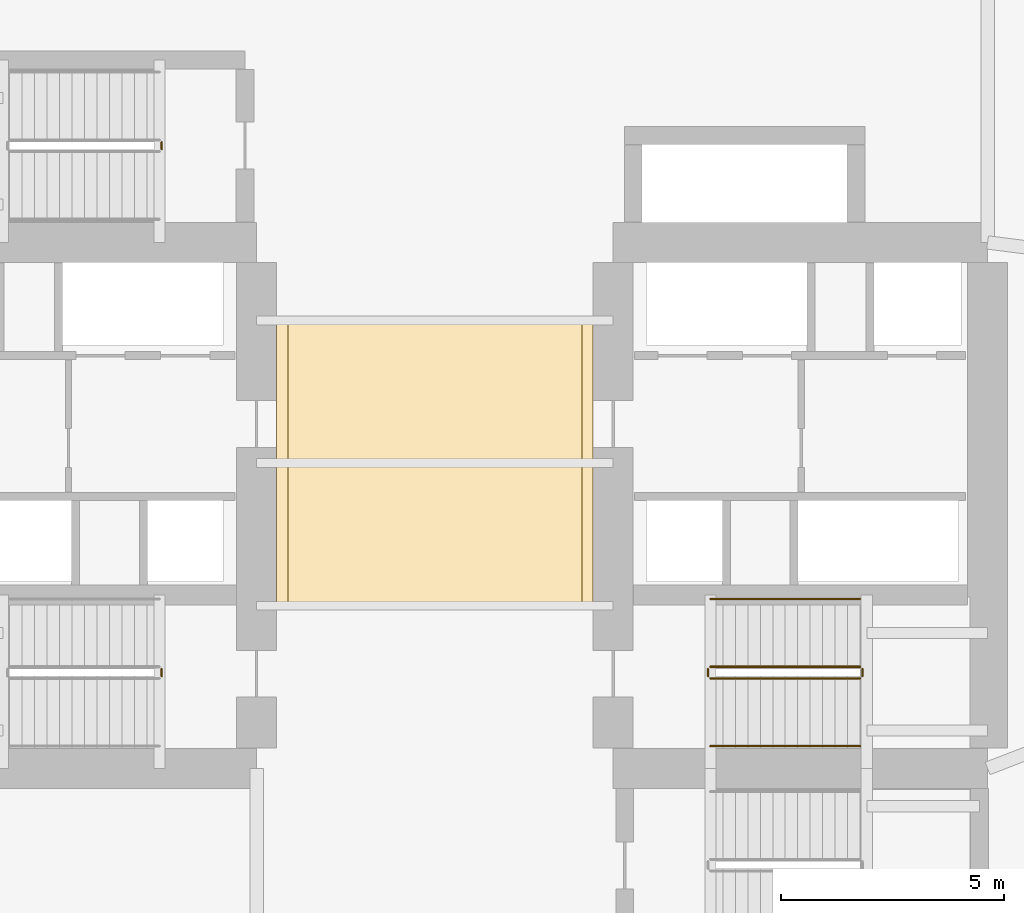
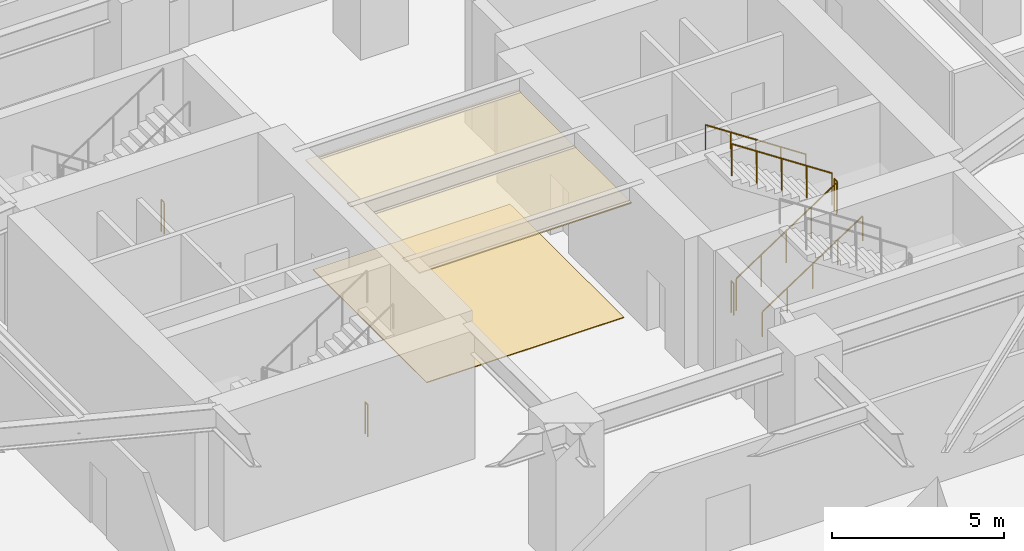
# One storey, part 22 of 23: 8 railings, 2 coverings.
"""IFC4 building model written with IfcOpenShell, lengths in metres."""

from ifc_helpers import new_model, si_unit, direction, frame, origin, origin_with_axes, origin_2d, place, context, subcontext, project, spatial, rectangle, circle, extrude, material, layer, layer_set, type_object, element, save


model = new_model("IFC4")

# Units and contexts
model_context = context("Model", 3, precision=1e-05, world=origin(), true_north=direction((0.0, 1.0)))
body_context = subcontext(model_context, "Body", "Model", "MODEL_VIEW")
ifc_project = project(units=[si_unit("LENGTHUNIT", "METRE"), si_unit("AREAUNIT", "SQUARE_METRE"), si_unit("VOLUMEUNIT", "CUBIC_METRE"), si_unit("PLANEANGLEUNIT", "RADIAN"), si_unit("MASSUNIT", "GRAM", prefix="KILO")], contexts=[model_context])

# Site, building, storey
site_placement = place(None, origin())
site = spatial("IfcSite", under=ifc_project, at=site_placement, CompositionType="ELEMENT")
building_placement = place(site_placement, origin())
building = spatial("IfcBuilding", under=site, at=building_placement, Name="Qingluan Cross Belvedere", CompositionType="ELEMENT")
storey_placement = place(building_placement, frame((0.0, 0.0, 5.39990234375)))
storey = spatial("IfcBuildingStorey", under=building, at=storey_placement, Name="L02", CompositionType="ELEMENT", Elevation=5.39990234375)

# Coverings
ifc_material_1 = material(Name="Perforated gypsum acoustic ceiling board")
ifc_layer_1 = layer(ifc_material_1, 0.0400390625, Name="AcousticLobbyCeiling_40")
ifc_layer_set_1 = layer_set([ifc_layer_1], Name="Perforated gypsum acoustic ceiling board")
covering_type_1 = type_object("IfcCoveringType", Name="AcousticLobbyCeiling_40", PredefinedType="CEILING", material=ifc_layer_set_1)
covering_1_placement = place(storey_placement, frame((0.0, 0.0, 3.9599609375), z_axis=(0.0, 0.0, 1.0), x_axis=(1.0, 0.0, 0.0)))
element("IfcCovering", 1, at=covering_1_placement, inside=storey, type_object=covering_type_1, Name="Central lobby acoustic ceiling L02", PredefinedType="CEILING", context=body_context, shape_type="SweptSolid", body=[
    extrude(rectangle(XDim=7.10009765625, YDim=6.60009765625, at=origin_2d()), origin(), (0.0, 0.0, 1.0), 0.0400390625),
])
ifc_material_2 = material(Name="Honed Hubei grey granite stone flooring", Category="masonry")
ifc_layer_2 = layer(ifc_material_2, 0.030029296875, Name="GraniteLobbyFlooring_30")
ifc_layer_set_2 = layer_set([ifc_layer_2], Name="Honed Hubei grey granite stone flooring")
covering_type_2 = type_object("IfcCoveringType", Name="GraniteLobbyFlooring_30", PredefinedType="FLOORING", material=ifc_layer_set_2)
covering_2_placement = place(storey_placement, origin_with_axes())
element("IfcCovering", 2, at=covering_2_placement, inside=storey, type_object=covering_type_2, Name="Central lobby granite flooring L02", PredefinedType="FLOORING", context=body_context, shape_type="SweptSolid", body=[
    extrude(rectangle(XDim=6.60009765625, YDim=6.60009765625, at=origin_2d()), origin(), (0.0, 0.0, 1.0), 0.030029296875),
])

# Railings
ifc_material_3 = material(Name="Brushed stainless steel tubular handrail", Category="steel")
railing_type_1 = type_object("IfcRailingType", Name="StairPitchHandrail_900", PredefinedType="HANDRAIL", material=ifc_material_3)
railing_1_placement = place(storey_placement, frame((6.179931640625, -6.35009765625, 0.184814453125)))
element("IfcRailing", 3, at=railing_1_placement, inside=storey, type_object=railing_type_1, Name="L02 ST2 stair handrail 1", PredefinedType="HANDRAIL", context=body_context, shape_type="SweptSolid", body=[
    extrude(circle(Radius=0.02392578125, at=origin_2d()), frame((0.0, 0.0, 0.8759765625), z_axis=(0.834876476806, 0.0, 0.550437342915), x_axis=(0.0, 1.0, 0.0)), (0.0, 0.0, 1.0), 4.024658203125),
    extrude(circle(Radius=0.02099609375, at=origin_2d()), origin(), (0.0, 0.0, 1.0), 0.851806640625),
    extrude(circle(Radius=0.02099609375, at=origin_2d()), frame((0.840087890625, 0.0, 0.5537109375)), (0.0, 0.0, 1.0), 0.851806640625),
    extrude(circle(Radius=0.02099609375, at=origin_2d()), frame((1.68017578125, 0.0, 1.107666015625)), (0.0, 0.0, 1.0), 0.851806640625),
    extrude(circle(Radius=0.02099609375, at=origin_2d()), frame((2.52001953125, 0.0, 1.66162109375)), (0.0, 0.0, 1.0), 0.851806640625),
    extrude(circle(Radius=0.02099609375, at=origin_2d()), frame((3.360107421875, 0.0, 2.21533203125)), (0.0, 0.0, 1.0), 0.851806640625),
])
railing_2_placement = place(storey_placement, frame((9.5400390625, -3.050048828125, 2.584716796875)))
element("IfcRailing", 4, at=railing_2_placement, inside=storey, type_object=railing_type_1, Name="L02 ST2 stair handrail 2", PredefinedType="HANDRAIL", context=body_context, shape_type="SweptSolid", body=[
    extrude(circle(Radius=0.02392578125, at=origin_2d()), frame((0.0, 0.0, 0.8759765625), z_axis=(-0.834876476806, 0.0, 0.550437342915), x_axis=(0.0, -1.0, 0.0)), (0.0, 0.0, 1.0), 4.024658203125),
    extrude(circle(Radius=0.02099609375, at=origin_2d()), origin(), (0.0, 0.0, 1.0), 0.851806640625),
    extrude(circle(Radius=0.02099609375, at=origin_2d()), frame((-0.840087890625, 0.0, 0.5537109375)), (0.0, 0.0, 1.0), 0.851806640625),
    extrude(circle(Radius=0.02099609375, at=origin_2d()), frame((-1.68017578125, 0.0, 1.107666015625)), (0.0, 0.0, 1.0), 0.851806640625),
    extrude(circle(Radius=0.02099609375, at=origin_2d()), frame((-2.52001953125, 0.0, 1.66162109375)), (0.0, 0.0, 1.0), 0.851806640625),
    extrude(circle(Radius=0.02099609375, at=origin_2d()), frame((-3.360107421875, 0.0, 2.21533203125)), (0.0, 0.0, 1.0), 0.851806640625),
])
ifc_material_4 = material(Name="Painted steel stair well guard", Category="steel")
railing_type_2 = type_object("IfcRailingType", Name="StairWellGuard_1150", PredefinedType="BALUSTRADE", material=ifc_material_4)
railing_3_placement = place(storey_placement, frame((-6.1298828125, -4.6201171875, 0.0)))
element("IfcRailing", 5, at=railing_3_placement, inside=storey, type_object=railing_type_2, Name="L02 ST1 stair guard 4", PredefinedType="BALUSTRADE", context=body_context, shape_type="SweptSolid", body=[
    extrude(circle(Radius=0.02392578125, at=origin_2d()), frame((0.0, 0.0, 1.1259765625), z_axis=(0.0, -1.0, 0.0), x_axis=(1.0, 0.0, 0.0)), (0.0, 0.0, 1.0), 0.159912109375),
    extrude(circle(Radius=0.02099609375, at=origin_2d()), origin(), (0.0, 0.0, 1.0), 1.101806640625),
    extrude(circle(Radius=0.02099609375, at=origin_2d()), frame((0.0, -0.159912109375, 0.0)), (0.0, 0.0, 1.0), 1.101806640625),
])
railing_4_placement = place(storey_placement, frame((6.179931640625, -4.830078125, 0.184814453125)))
element("IfcRailing", 6, at=railing_4_placement, inside=storey, type_object=railing_type_2, Name="L02 ST2 stair guard 1", PredefinedType="BALUSTRADE", context=body_context, shape_type="SweptSolid", body=[
    extrude(circle(Radius=0.02392578125, at=origin_2d()), frame((0.0, 0.0, 1.1259765625), z_axis=(0.834876476806, 0.0, 0.550437342915), x_axis=(0.0, 1.0, 0.0)), (0.0, 0.0, 1.0), 4.024658203125),
    extrude(circle(Radius=0.02099609375, at=origin_2d()), origin(), (0.0, 0.0, 1.0), 1.101806640625),
    extrude(circle(Radius=0.02099609375, at=origin_2d()), frame((0.840087890625, 0.0, 0.5537109375)), (0.0, 0.0, 1.0), 1.101806640625),
    extrude(circle(Radius=0.02099609375, at=origin_2d()), frame((1.68017578125, 0.0, 1.107666015625)), (0.0, 0.0, 1.0), 1.101806640625),
    extrude(circle(Radius=0.02099609375, at=origin_2d()), frame((2.52001953125, 0.0, 1.66162109375)), (0.0, 0.0, 1.0), 1.101806640625),
    extrude(circle(Radius=0.02099609375, at=origin_2d()), frame((3.360107421875, 0.0, 2.21533203125)), (0.0, 0.0, 1.0), 1.101806640625),
])
railing_5_placement = place(storey_placement, frame((9.590087890625, -4.780029296875, 2.400146484375)))
element("IfcRailing", 7, at=railing_5_placement, inside=storey, type_object=railing_type_2, Name="L02 ST2 stair guard 2", PredefinedType="BALUSTRADE", context=body_context, shape_type="SweptSolid", body=[
    extrude(circle(Radius=0.02392578125, at=origin_2d()), frame((0.0, 0.0, 1.1259765625), z_axis=(0.0, 1.0, 0.0), x_axis=(-1.0, 0.0, 0.0)), (0.0, 0.0, 1.0), 0.159912109375),
    extrude(circle(Radius=0.02099609375, at=origin_2d()), origin(), (0.0, 0.0, 1.0), 1.101806640625),
    extrude(circle(Radius=0.02099609375, at=origin_2d()), frame((0.0, 0.159912109375, 0.0)), (0.0, 0.0, 1.0), 1.101806640625),
])
railing_6_placement = place(storey_placement, frame((9.5400390625, -4.570068359375, 2.584716796875)))
element("IfcRailing", 8, at=railing_6_placement, inside=storey, type_object=railing_type_2, Name="L02 ST2 stair guard 3", PredefinedType="BALUSTRADE", context=body_context, shape_type="SweptSolid", body=[
    extrude(circle(Radius=0.02392578125, at=origin_2d()), frame((0.0, 0.0, 1.1259765625), z_axis=(-0.834876476806, 0.0, 0.550437342915), x_axis=(0.0, -1.0, 0.0)), (0.0, 0.0, 1.0), 4.024658203125),
    extrude(circle(Radius=0.02099609375, at=origin_2d()), origin(), (0.0, 0.0, 1.0), 1.101806640625),
    extrude(circle(Radius=0.02099609375, at=origin_2d()), frame((-0.840087890625, 0.0, 0.5537109375)), (0.0, 0.0, 1.0), 1.101806640625),
    extrude(circle(Radius=0.02099609375, at=origin_2d()), frame((-1.68017578125, 0.0, 1.107666015625)), (0.0, 0.0, 1.0), 1.101806640625),
    extrude(circle(Radius=0.02099609375, at=origin_2d()), frame((-2.52001953125, 0.0, 1.66162109375)), (0.0, 0.0, 1.0), 1.101806640625),
    extrude(circle(Radius=0.02099609375, at=origin_2d()), frame((-3.360107421875, 0.0, 2.21533203125)), (0.0, 0.0, 1.0), 1.101806640625),
])
railing_7_placement = place(storey_placement, frame((6.1298828125, -4.780029296875, 0.0)))
element("IfcRailing", 9, at=railing_7_placement, inside=storey, type_object=railing_type_2, Name="L02 ST2 stair guard 4", PredefinedType="BALUSTRADE", context=body_context, shape_type="SweptSolid", body=[
    extrude(circle(Radius=0.02392578125, at=origin_2d()), frame((0.0, 0.0, 1.1259765625), z_axis=(0.0, 1.0, 0.0), x_axis=(-1.0, 0.0, 0.0)), (0.0, 0.0, 1.0), 0.159912109375),
    extrude(circle(Radius=0.02099609375, at=origin_2d()), origin(), (0.0, 0.0, 1.0), 1.101806640625),
    extrude(circle(Radius=0.02099609375, at=origin_2d()), frame((0.0, 0.159912109375, 0.0)), (0.0, 0.0, 1.0), 1.101806640625),
])
railing_8_placement = place(storey_placement, frame((-6.1298828125, 7.199951171875, 0.0)))
element("IfcRailing", 10, at=railing_8_placement, inside=storey, type_object=railing_type_2, Name="L02 ST3 stair guard 4", PredefinedType="BALUSTRADE", context=body_context, shape_type="SweptSolid", body=[
    extrude(circle(Radius=0.02392578125, at=origin_2d()), frame((0.0, 0.0, 1.1259765625), z_axis=(0.0, -1.0, 0.0), x_axis=(1.0, 0.0, 0.0)), (0.0, 0.0, 1.0), 0.159912109375),
    extrude(circle(Radius=0.02099609375, at=origin_2d()), origin(), (0.0, 0.0, 1.0), 1.101806640625),
    extrude(circle(Radius=0.02099609375, at=origin_2d()), frame((0.0, -0.159912109375, 0.0)), (0.0, 0.0, 1.0), 1.101806640625),
])

save(model, "model.ifc")
